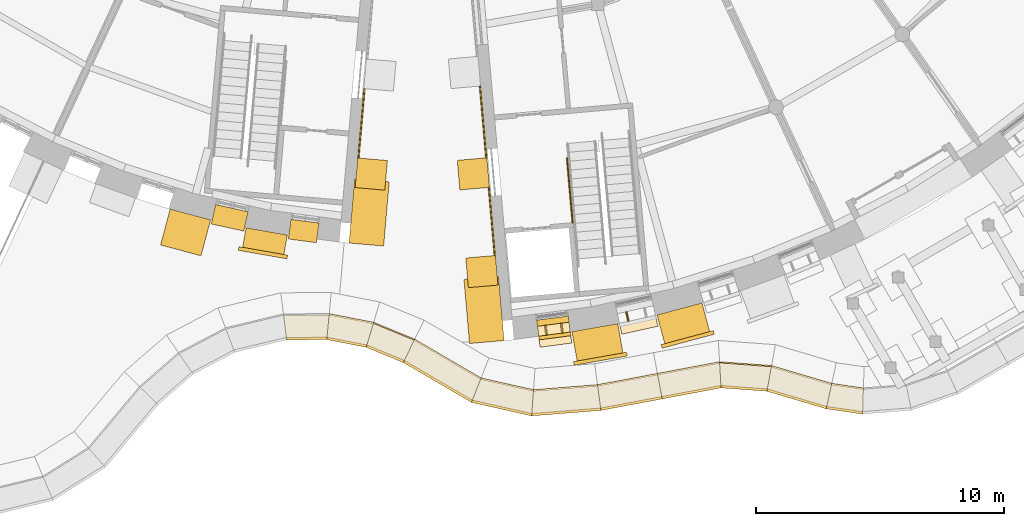
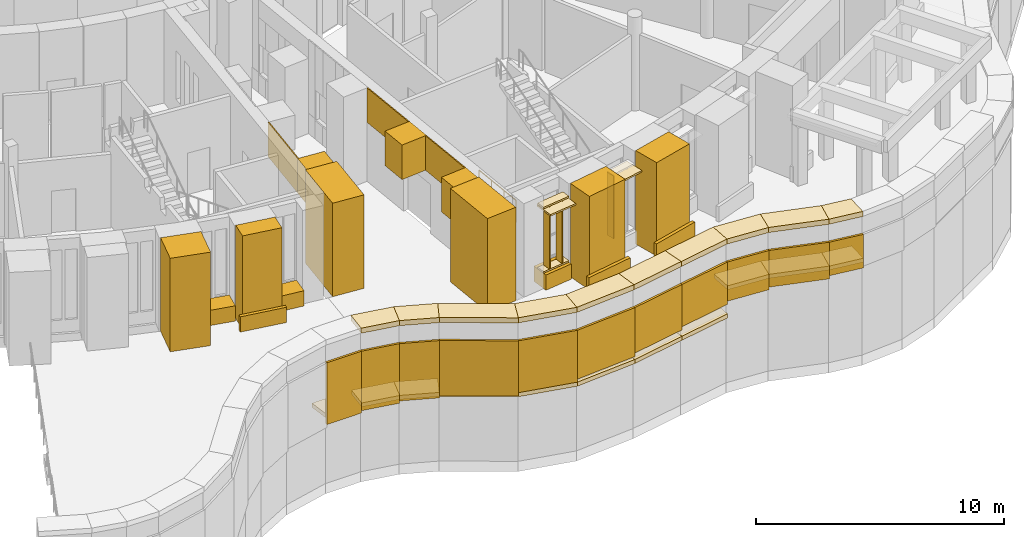
# One storey, part 65 of 85: 57 coverings, 1 railing.
"""IFC4 building model written with IfcOpenShell, lengths in metres."""

from ifc_helpers import new_model, si_unit, direction, frame, origin, origin_2d, place, context, subcontext, project, spatial, polyline, rectangle, circle, outline, extrude, material, layer, layer_set, type_object, element, save


model = new_model("IFC4")

# Units and contexts
model_context = context("Model", 3, precision=1e-05, world=origin(), true_north=direction((0.0, 1.0)))
body_context = subcontext(model_context, "Body", "Model", "MODEL_VIEW")
ifc_project = project(units=[si_unit("LENGTHUNIT", "METRE"), si_unit("AREAUNIT", "SQUARE_METRE"), si_unit("VOLUMEUNIT", "CUBIC_METRE"), si_unit("PLANEANGLEUNIT", "RADIAN"), si_unit("MASSUNIT", "GRAM", prefix="KILO")], contexts=[model_context])

# Site, building, storey
site_placement = place(None, origin())
site = spatial("IfcSite", under=ifc_project, at=site_placement, CompositionType="ELEMENT")
building_placement = place(site_placement, origin())
building = spatial("IfcBuilding", under=site, at=building_placement, Name="Volute Hill Aquarium", CompositionType="ELEMENT")
storey_placement = place(building_placement, origin())
storey = spatial("IfcBuildingStorey", under=building, at=storey_placement, Name="L01", CompositionType="ELEMENT", Elevation=0.0)

# Coverings
ifc_material_1 = material(Name="Blue limestone", Category="masonry")
covering_type_1 = type_object("IfcCoveringType", Name="Bluestone plinth block 275x750", PredefinedType="CLADDING", material=ifc_material_1)
covering_1_placement = place(storey_placement, frame((-7.773681640625, -35.064697265625, 0.0), z_axis=(0.0, 0.0, 1.0), x_axis=(0.97629181159, -0.216458537884, 0.0)))
element("IfcCovering", 1, at=covering_1_placement, inside=storey, type_object=covering_type_1, Name="Bluestone plinth BPN S2 L01 9", PredefinedType="CLADDING", context=body_context, shape_type="SweptSolid", body=[
    extrude(rectangle(XDim=1.341064453125, YDim=0.800048828125, at=origin_2d()), origin(), (0.0, 0.0, 1.0), 0.75),
])
covering_2_placement = place(storey_placement, frame((-4.787109375, -35.595703125, 0.0), z_axis=(0.0, 0.0, 1.0), x_axis=(0.991444143013, -0.130531648595, 0.0)))
element("IfcCovering", 2, at=covering_2_placement, inside=storey, type_object=covering_type_1, Name="Bluestone plinth BPN S2 L01 10", PredefinedType="CLADDING", context=body_context, shape_type="SweptSolid", body=[
    extrude(rectangle(XDim=1.140869140625, YDim=0.800048828125, at=origin_2d()), origin(), (0.0, 0.0, 1.0), 0.75),
])
covering_3_placement = place(storey_placement, frame((5.30224609375, -39.508056640625, 0.0), z_axis=(0.0, 0.0, 1.0), x_axis=(0.991446923126, 0.130510530703, 0.0)))
element("IfcCovering", 3, at=covering_3_placement, inside=storey, type_object=covering_type_1, Name="Bluestone plinth BPN S3 L01 1", PredefinedType="CLADDING", context=body_context, shape_type="SweptSolid", body=[
    extrude(rectangle(XDim=1.2890625, YDim=0.800048828125, at=origin_2d()), origin(), (0.0, 0.0, 1.0), 0.75),
])
ifc_material_2 = material(Name="Blue limestone", Category="masonry")
ifc_layer_1 = layer(ifc_material_2, 0.14990234375)
ifc_layer_set_1 = layer_set([ifc_layer_1], Name="Bluestone plinth plate 150x750")
covering_type_2 = type_object("IfcCoveringType", Name="Bluestone plinth plate 150x750", PredefinedType="CLADDING", material=ifc_layer_set_1)
covering_4_placement = place(storey_placement, frame((-6.43115234375, -36.47314453125, 0.0), z_axis=(0.0, 0.0, 1.0), x_axis=(0.984807753012, -0.173648177667, 0.0)))
element("IfcCovering", 4, at=covering_4_placement, inside=storey, type_object=covering_type_2, Name="Bluestone plinth BP S2 L01 9", PredefinedType="CLADDING", context=body_context, shape_type="SweptSolid", body=[
    extrude(rectangle(XDim=1.98876953125, YDim=0.14990234375, at=origin_2d()), origin(), (0.0, 0.0, 1.0), 0.75),
])
for number, where, z_axis, x_axis, name in (
    (5, (7.185791015625, -40.752685546875, 0.0), (0.0, 0.0, 1.0), (0.984807753012, 0.173648177667, 0.0), "Bluestone plinth BP S3 L01 1"),
    (6, (10.710205078125, -39.971435546875, 0.0), (0.0, 0.0, 1.0), (0.965925826289, 0.258819045103, 0.0), "Bluestone plinth BP S3 L01 2"),
):
    element("IfcCovering", number, at=place(storey_placement, frame(where, z_axis=z_axis, x_axis=x_axis)), inside=storey, type_object=covering_type_2, Name=name, PredefinedType="CLADDING", context=body_context, shape_type="SweptSolid", body=[
        extrude(rectangle(XDim=2.17529296875, YDim=0.14990234375, at=origin_2d()), origin(), (0.0, 0.0, 1.0), 0.75),
    ])
ifc_material_3 = material(Name="Precast concrete C40/50", Category="concrete")
covering_type_3 = type_object("IfcCoveringType", Name="End wall precast fin C40/50 1200x1200", PredefinedType="CLADDING", material=ifc_material_3)
for number, where, z_axis, x_axis, name in (
    (7, (-2.059814453125, -33.297119140625, 2.89990234375), (0.0, 0.0, 1.0), (-0.087158138485, -0.996194488489, 0.0), "End wall fin EWF S2B L01 4"),
    (8, (2.059326171875, -33.28955078125, 2.89990234375), (0.0, 0.0, 1.0), (0.087159823273, -0.996194341084, 0.0), "End wall fin EWF S3A L01 4"),
    (9, (2.404052734375, -37.232177734375, 2.89990234375), (0.0, 0.0, 1.0), (0.087159823273, -0.996194341084, 0.0), "End wall fin EWF S3A L01 5"),
):
    element("IfcCovering", number, at=place(storey_placement, frame(where, z_axis=z_axis, x_axis=x_axis)), inside=storey, type_object=covering_type_3, Name=name, PredefinedType="CLADDING", context=body_context, shape_type="SweptSolid", body=[
        extrude(rectangle(XDim=1.199951171875, YDim=1.199951171875, at=origin_2d()), origin(), (0.0, 0.0, 1.0), 1.699951171875),
    ])
ifc_material_4 = material(Name="Precast concrete C40/50", Category="concrete")
ifc_layer_2 = layer(ifc_material_4, 0.050048828125)
ifc_layer_set_2 = layer_set([ifc_layer_2], Name="End wall precast infill panel C40/50 50")
covering_type_4 = type_object("IfcCoveringType", Name="End wall precast infill panel C40/50 50", PredefinedType="CLADDING", material=ifc_layer_set_2)
covering_5_placement = place(storey_placement, frame((-2.3603515625, -29.847900390625, 2.89990234375), z_axis=(-0.996195132074, 0.087150782161, 0.0), x_axis=(-0.087150782161, -0.996195132074, 0.0)))
element("IfcCovering", 10, at=covering_5_placement, inside=storey, type_object=covering_type_4, Name="End wall panel EWP S2B L01 3", PredefinedType="CLADDING", context=body_context, shape_type="SweptSolid", body=[
    extrude(outline(polyline([(0.0, 0.0), (2.809763042905383, 0.0), (2.809763042905383, 1.7001953125000004), (0.0, 1.7001953125000004), (0.0, 0.0)])), origin(), (0.0, 0.0, -1.0), 0.050048828125),
])
covering_6_placement = place(storey_placement, frame((2.301513671875, -29.74755859375, 2.89990234375), z_axis=(-0.996194446597, -0.087158617293, 0.0), x_axis=(0.087158617293, -0.996194446597, 0.0)))
element("IfcCovering", 11, at=covering_6_placement, inside=storey, type_object=covering_type_4, Name="End wall panel EWP S3A L01 3", PredefinedType="CLADDING", context=body_context, shape_type="SweptSolid", body=[
    extrude(outline(polyline([(0.0, 0.0), (2.907549208784697, 0.0), (2.907549208784697, 1.7001953125), (0.0, 1.7001953125), (0.0, 0.0)])), origin(), (0.0, 0.0, -1.0), 0.050048828125),
])
covering_7_placement = place(storey_placement, frame((2.659423828125, -33.83935546875, 2.89990234375), z_axis=(-0.996197944706, -0.087118625808, 0.0), x_axis=(0.087118625808, -0.996197944706, 0.0)))
element("IfcCovering", 12, at=covering_7_placement, inside=storey, type_object=covering_type_4, Name="End wall panel EWP S3A L01 4", PredefinedType="CLADDING", context=body_context, shape_type="SweptSolid", body=[
    extrude(outline(polyline([(0.0, 0.0), (2.7575546878984083, 0.0), (2.7575546878984083, 1.7001953125), (0.0, 1.7001953125), (0.0, 0.0)])), origin(), (0.0, 0.0, -1.0), 0.050048828125),
])

# Railing
ifc_material_5 = material(Name="Stainless steel 1.4301", Category="steel")
railing_type = type_object("IfcRailingType", Name="Guard 1100 stainless", PredefinedType="GUARDRAIL", material=ifc_material_5)
railing_placement = place(storey_placement, frame((6.06591796875, -35.255615234375, 0.0)))
element("IfcRailing", 13, at=railing_placement, inside=storey, type_object=railing_type, Name="gd/S3-A/L01/edge", PredefinedType="GUARDRAIL", context=body_context, shape_type="SweptSolid", body=[
    extrude(circle(Radius=0.02392578125, at=origin_2d()), frame((0.0, 0.0, 1.076171875), z_axis=(-0.087225186436, 0.996188620117, 0.0), x_axis=(-0.996188620117, -0.087225186436, 0.0)), (0.0, 0.0, 1.0), 2.600341796875),
    extrude(circle(Radius=0.02099609375, at=origin_2d()), origin(), (0.0, 0.0, 1.0), 1.052001953125),
    extrude(circle(Radius=0.02099609375, at=origin_2d()), frame((-0.07568359375, 0.863525390625, 0.0)), (0.0, 0.0, 1.0), 1.052001953125),
    extrude(circle(Radius=0.02099609375, at=origin_2d()), frame((-0.151123046875, 1.726806640625, 0.0)), (0.0, 0.0, 1.0), 1.052001953125),
    extrude(circle(Radius=0.02099609375, at=origin_2d()), frame((-0.226806640625, 2.59033203125, 0.0)), (0.0, 0.0, 1.0), 1.052001953125),
])

# Coverings
ifc_material_6 = material(Name="Aluminium, anodised", Category="aluminium")
ifc_layer_3 = layer(ifc_material_6, 0.080078125)
ifc_layer_set_3 = layer_set([ifc_layer_3], Name="Horizontal brise-soleil eyebrow 900x80")
covering_type_5 = type_object("IfcCoveringType", Name="Horizontal brise-soleil eyebrow 900x80", PredefinedType="CLADDING", material=ifc_layer_set_3)
covering_8_placement = place(storey_placement, frame((5.3349609375, -39.756103515625, 3.81005859375), z_axis=(0.0, 0.0, 1.0), x_axis=(0.991446923126, 0.130510530703, 0.0)))
element("IfcCovering", 14, at=covering_8_placement, inside=storey, type_object=covering_type_5, Name="Brise-soleil eyebrow BS S3 L01 1.1", PredefinedType="CLADDING", context=body_context, shape_type="SweptSolid", body=[
    extrude(rectangle(XDim=1.2890625, YDim=0.89990234375, at=origin_2d()), origin(), (0.0, 0.0, 1.0), 0.080078125),
])
covering_9_placement = place(storey_placement, frame((8.681884765625, -39.161376953125, 3.81005859375), z_axis=(0.0, 0.0, 1.0), x_axis=(0.976296993237, 0.216435165805, 0.0)))
element("IfcCovering", 15, at=covering_9_placement, inside=storey, type_object=covering_type_5, Name="Brise-soleil eyebrow BS S3 L01 2.1", PredefinedType="CLADDING", context=body_context, shape_type="SweptSolid", body=[
    extrude(rectangle(XDim=1.4892578125, YDim=0.89990234375, at=origin_2d()), origin(), (0.0, 0.0, 1.0), 0.080078125),
])
ifc_material_7 = material(Name="Precast concrete C40/50", Category="concrete")
ifc_layer_4 = layer(ifc_material_7, 0.25)
ifc_layer_set_4 = layer_set([ifc_layer_4], Name="Plinth coping precast concrete C40/50 1000")
covering_type_6 = type_object("IfcCoveringType", Name="Plinth coping precast concrete C40/50 1000", PredefinedType="CLADDING", material=ifc_layer_set_4)
covering_10_placement = place(storey_placement, frame((0.0, 0.0, 0.85009765625)))
element("IfcCovering", 16, at=covering_10_placement, inside=storey, type_object=covering_type_6, Name="cp/E23UP/L01/0", PredefinedType="CLADDING", context=body_context, shape_type="SweptSolid", body=[
    extrude(outline(polyline([(-2.250244140625, -40.24072265625), (-2.250244140625, -40.24072265625), (-1.9619140625, -39.278076171875), (-1.9619140625, -39.278076171875), (-3.7568359375, -38.928955078125), (-3.850341796875, -39.929443359375), (-2.250244140625, -40.24072265625)])), origin(), (0.0, 0.0, 1.0), 0.25),
])
covering_11_placement = place(storey_placement, frame((0.0, 0.0, 0.85009765625)))
element("IfcCovering", 17, at=covering_11_placement, inside=storey, type_object=covering_type_6, Name="cp/E24UP/L01/0", PredefinedType="CLADDING", context=body_context, shape_type="SweptSolid", body=[
    extrude(outline(polyline([(-2.250244140625, -40.24072265625), (-0.74951171875, -40.857666015625), (-0.30517578125, -39.959228515625), (-1.9619140625, -39.278076171875), (-2.250244140625, -40.24072265625)])), origin(), (0.0, 0.0, 1.0), 0.25),
])
covering_12_placement = place(storey_placement, frame((0.0, 0.0, 0.85009765625)))
element("IfcCovering", 18, at=covering_12_placement, inside=storey, type_object=covering_type_6, Name="cp/E25UP/L01/0", PredefinedType="CLADDING", context=body_context, shape_type="SweptSolid", body=[
    extrude(outline(polyline([(2.001953125, -42.465576171875), (2.001953125, -42.465576171875), (2.372802734375, -41.52392578125), (-0.30517578125, -39.959228515625), (-0.30517578125, -39.959228515625), (-0.74951171875, -40.857666015625), (-0.74951171875, -40.857666015625), (2.001953125, -42.465576171875)])), origin(), (0.0, 0.0, 1.0), 0.25),
])
covering_13_placement = place(storey_placement, frame((0.0, 0.0, 0.85009765625)))
element("IfcCovering", 19, at=covering_13_placement, inside=storey, type_object=covering_type_6, Name="cp/E26UP/L01/0", PredefinedType="CLADDING", context=body_context, shape_type="SweptSolid", body=[
    extrude(outline(polyline([(2.001953125, -42.465576171875), (4.41552734375, -43.008544921875), (4.4873046875, -41.999755859375), (2.372802734375, -41.52392578125), (2.372802734375, -41.52392578125), (2.001953125, -42.465576171875)])), origin(), (0.0, 0.0, 1.0), 0.25),
])
covering_14_placement = place(storey_placement, frame((0.0, 0.0, 0.85009765625)))
element("IfcCovering", 20, at=covering_14_placement, inside=storey, type_object=covering_type_6, Name="cp/E27UP/L01/0", PredefinedType="CLADDING", context=body_context, shape_type="SweptSolid", body=[
    extrude(outline(polyline([(4.41552734375, -43.008544921875), (7.200927734375, -42.78759765625), (7.06884765625, -41.794921875), (7.06884765625, -41.794921875), (4.4873046875, -41.999755859375), (4.4873046875, -41.999755859375), (4.41552734375, -43.008544921875), (4.41552734375, -43.008544921875)])), origin(), (0.0, 0.0, 1.0), 0.25),
])
covering_15_placement = place(storey_placement, frame((0.0, 0.0, 0.85009765625)))
element("IfcCovering", 21, at=covering_15_placement, inside=storey, type_object=covering_type_6, Name="cp/E28UP/L01/0", PredefinedType="CLADDING", context=body_context, shape_type="SweptSolid", body=[
    extrude(outline(polyline([(7.200927734375, -42.78759765625), (9.67138671875, -42.32373046875), (9.48681640625, -41.3408203125), (7.06884765625, -41.794921875), (7.200927734375, -42.78759765625), (7.200927734375, -42.78759765625)])), origin(), (0.0, 0.0, 1.0), 0.25),
])
covering_16_placement = place(storey_placement, frame((0.0, 0.0, 0.85009765625)))
element("IfcCovering", 22, at=covering_16_placement, inside=storey, type_object=covering_type_6, Name="cp/E28UP/L01/1", PredefinedType="CLADDING", context=body_context, shape_type="SweptSolid", body=[
    extrude(outline(polyline([(9.67138671875, -42.32373046875), (12.0517578125, -41.876708984375), (11.9951171875, -40.869873046875), (11.9951171875, -40.869873046875), (9.48681640625, -41.3408203125), (9.67138671875, -42.32373046875)])), origin(), (0.0, 0.0, 1.0), 0.25),
])
covering_17_placement = place(storey_placement, frame((0.0, 0.0, 0.85009765625)))
element("IfcCovering", 23, at=covering_17_placement, inside=storey, type_object=covering_type_6, Name="cp/E29UP/L01/0", PredefinedType="CLADDING", context=body_context, shape_type="SweptSolid", body=[
    extrude(outline(polyline([(12.0517578125, -41.876708984375), (13.9150390625, -42.013671875), (14.095947265625, -41.024169921875), (11.9951171875, -40.869873046875), (12.0517578125, -41.876708984375), (12.0517578125, -41.876708984375)])), origin(), (0.0, 0.0, 1.0), 0.25),
])
covering_18_placement = place(storey_placement, frame((0.0, 0.0, 0.85009765625)))
element("IfcCovering", 24, at=covering_18_placement, inside=storey, type_object=covering_type_6, Name="cp/E30UP/L01/0", PredefinedType="CLADDING", context=body_context, shape_type="SweptSolid", body=[
    extrude(outline(polyline([(13.9150390625, -42.013671875), (16.310302734375, -42.724365234375), (16.524658203125, -41.744873046875), (14.095947265625, -41.024169921875), (14.095947265625, -41.024169921875), (13.9150390625, -42.013671875), (13.9150390625, -42.013671875)])), origin(), (0.0, 0.0, 1.0), 0.25),
])
covering_19_placement = place(storey_placement, frame((0.0, 0.0, 0.85009765625)))
element("IfcCovering", 25, at=covering_19_placement, inside=storey, type_object=covering_type_6, Name="cp/E31UP/L01/0", PredefinedType="CLADDING", context=body_context, shape_type="SweptSolid", body=[
    extrude(outline(polyline([(16.310302734375, -42.724365234375), (17.769775390625, -42.933837890625), (17.801513671875, -41.92822265625), (16.524658203125, -41.744873046875), (16.524658203125, -41.744873046875), (16.310302734375, -42.724365234375), (16.310302734375, -42.724365234375)])), origin(), (0.0, 0.0, 1.0), 0.25),
])
ifc_material_8 = material(Name="Precast concrete C40/50", Category="concrete")
ifc_layer_5 = layer(ifc_material_8, 0.199951171875)
ifc_layer_set_5 = layer_set([ifc_layer_5], Name="Plinth grade course precast concrete C40/50 1100")
covering_type_7 = type_object("IfcCoveringType", Name="Plinth grade course precast concrete C40/50 1100", PredefinedType="CLADDING", material=ifc_layer_set_5)
covering_20_placement = place(storey_placement, frame((0.0, 0.0, -2.75)))
element("IfcCovering", 26, at=covering_20_placement, inside=storey, type_object=covering_type_7, Name="gc/E22UP/L01/0", PredefinedType="CLADDING", context=body_context, shape_type="SweptSolid", body=[
    extrude(outline(polyline([(-3.85498046875, -39.9794921875), (-3.85498046875, -39.9794921875), (-3.761474609375, -38.97900390625), (-3.761474609375, -38.97900390625), (-5.60009765625, -38.98974609375), (-5.60009765625, -38.98974609375), (-5.478271484375, -39.989013671875), (-3.85498046875, -39.9794921875)])), origin(), (0.0, 0.0, 1.0), 0.199951171875),
])
covering_21_placement = place(storey_placement, frame((0.0, 0.0, -2.75)))
element("IfcCovering", 27, at=covering_21_placement, inside=storey, type_object=covering_type_7, Name="gc/E23UP/L01/0", PredefinedType="CLADDING", context=body_context, shape_type="SweptSolid", body=[
    extrude(outline(polyline([(-2.2646484375, -40.288818359375), (-2.2646484375, -40.288818359375), (-1.976318359375, -39.326171875), (-1.976318359375, -39.326171875), (-3.761474609375, -38.97900390625), (-3.85498046875, -39.9794921875), (-2.2646484375, -40.288818359375)])), origin(), (0.0, 0.0, 1.0), 0.199951171875),
])
covering_22_placement = place(storey_placement, frame((0.0, 0.0, -2.75)))
element("IfcCovering", 28, at=covering_22_placement, inside=storey, type_object=covering_type_7, Name="gc/E24UP/L01/0", PredefinedType="CLADDING", context=body_context, shape_type="SweptSolid", body=[
    extrude(outline(polyline([(-2.2646484375, -40.288818359375), (-0.771728515625, -40.902587890625), (-0.327392578125, -40.004150390625), (-1.976318359375, -39.326171875), (-2.2646484375, -40.288818359375)])), origin(), (0.0, 0.0, 1.0), 0.199951171875),
])
covering_23_placement = place(storey_placement, frame((0.0, 0.0, -2.75)))
element("IfcCovering", 29, at=covering_23_placement, inside=storey, type_object=covering_type_7, Name="gc/E25UP/L01/0", PredefinedType="CLADDING", context=body_context, shape_type="SweptSolid", body=[
    extrude(outline(polyline([(1.9833984375, -42.5126953125), (1.9833984375, -42.5126953125), (2.354248046875, -41.571044921875), (-0.327392578125, -40.004150390625), (-0.327392578125, -40.004150390625), (-0.771728515625, -40.902587890625), (-0.771728515625, -40.902587890625), (1.9833984375, -42.5126953125)])), origin(), (0.0, 0.0, 1.0), 0.199951171875),
])
covering_24_placement = place(storey_placement, frame((0.0, 0.0, -2.75)))
element("IfcCovering", 30, at=covering_24_placement, inside=storey, type_object=covering_type_7, Name="gc/E26UP/L01/0", PredefinedType="CLADDING", context=body_context, shape_type="SweptSolid", body=[
    extrude(outline(polyline([(1.9833984375, -42.5126953125), (4.411865234375, -43.05908203125), (4.483642578125, -42.050048828125), (2.354248046875, -41.571044921875), (2.354248046875, -41.571044921875), (1.9833984375, -42.5126953125)])), origin(), (0.0, 0.0, 1.0), 0.199951171875),
])
covering_25_placement = place(storey_placement, frame((0.0, 0.0, -2.75)))
element("IfcCovering", 31, at=covering_25_placement, inside=storey, type_object=covering_type_7, Name="gc/E27UP/L01/0", PredefinedType="CLADDING", context=body_context, shape_type="SweptSolid", body=[
    extrude(outline(polyline([(4.411865234375, -43.05908203125), (7.20751953125, -42.837158203125), (7.075439453125, -41.844482421875), (4.483642578125, -42.050048828125), (4.483642578125, -42.050048828125), (4.411865234375, -43.05908203125), (4.411865234375, -43.05908203125)])), origin(), (0.0, 0.0, 1.0), 0.199951171875),
])
covering_26_placement = place(storey_placement, frame((0.0, 0.0, -2.75)))
element("IfcCovering", 32, at=covering_26_placement, inside=storey, type_object=covering_type_7, Name="gc/E28UP/L01/0", PredefinedType="CLADDING", context=body_context, shape_type="SweptSolid", body=[
    extrude(outline(polyline([(7.20751953125, -42.837158203125), (9.6806640625, -42.372802734375), (9.49609375, -41.39013671875), (7.075439453125, -41.844482421875), (7.075439453125, -41.844482421875), (7.20751953125, -42.837158203125), (7.20751953125, -42.837158203125)])), origin(), (0.0, 0.0, 1.0), 0.199951171875),
])
covering_27_placement = place(storey_placement, frame((0.0, 0.0, -2.75)))
element("IfcCovering", 33, at=covering_27_placement, inside=storey, type_object=covering_type_7, Name="gc/E28UP/L01/1", PredefinedType="CLADDING", context=body_context, shape_type="SweptSolid", body=[
    extrude(outline(polyline([(12.054443359375, -41.92724609375), (12.054443359375, -41.92724609375), (11.998046875, -40.92041015625), (9.49609375, -41.39013671875), (9.6806640625, -42.372802734375), (12.054443359375, -41.92724609375)])), origin(), (0.0, 0.0, 1.0), 0.199951171875),
])
covering_28_placement = place(storey_placement, frame((0.0, 0.0, -1.375)))
element("IfcCovering", 34, at=covering_28_placement, inside=storey, type_object=covering_type_7, Name="gc/E29UP/L01/0", PredefinedType="CLADDING", context=body_context, shape_type="SweptSolid", body=[
    extrude(outline(polyline([(12.054443359375, -41.92724609375), (13.906005859375, -42.06298828125), (14.0869140625, -41.07373046875), (14.0869140625, -41.07373046875), (11.998046875, -40.92041015625), (11.998046875, -40.92041015625), (12.054443359375, -41.92724609375)])), origin(), (0.0, 0.0, 1.0), 0.199951171875),
])
covering_29_placement = place(storey_placement, frame((0.0, 0.0, -1.375)))
element("IfcCovering", 35, at=covering_29_placement, inside=storey, type_object=covering_type_7, Name="gc/E30UP/L01/0", PredefinedType="CLADDING", context=body_context, shape_type="SweptSolid", body=[
    extrude(outline(polyline([(16.299560546875, -42.773193359375), (16.299560546875, -42.773193359375), (16.513916015625, -41.793701171875), (14.0869140625, -41.07373046875), (13.906005859375, -42.06298828125), (13.906005859375, -42.06298828125), (16.299560546875, -42.773193359375)])), origin(), (0.0, 0.0, 1.0), 0.199951171875),
])
covering_30_placement = place(storey_placement, frame((0.0, 0.0, -1.375)))
element("IfcCovering", 36, at=covering_30_placement, inside=storey, type_object=covering_type_7, Name="gc/E31UP/L01/0", PredefinedType="CLADDING", context=body_context, shape_type="SweptSolid", body=[
    extrude(outline(polyline([(16.299560546875, -42.773193359375), (17.76806640625, -42.984130859375), (17.800048828125, -41.978515625), (16.513916015625, -41.793701171875), (16.513916015625, -41.793701171875), (16.299560546875, -42.773193359375)])), origin(), (0.0, 0.0, 1.0), 0.199951171875),
])
ifc_material_9 = material(Name="Precast concrete C40/50", Category="concrete")
covering_type_8 = type_object("IfcCoveringType", Name="Projecting pier precast concrete C40/50 1689x1500", PredefinedType="CLADDING", material=ifc_material_9)
covering_31_placement = place(storey_placement, frame((-9.55322265625, -35.653076171875, 0.0), z_axis=(0.0, 0.0, 1.0), x_axis=(0.965925826289, -0.258819045103, 0.0)))
element("IfcCovering", 37, at=covering_31_placement, inside=storey, type_object=covering_type_8, Name="Projecting pier PP S2 L01 8", PredefinedType="CLADDING", context=body_context, shape_type="SweptSolid", body=[
    extrude(rectangle(XDim=1.688720703125, YDim=1.5, at=origin_2d()), origin(), (0.0, 0.0, 1.0), 4.60009765625),
])
ifc_material_10 = material(Name="Precast concrete C40/50", Category="concrete")
covering_type_9 = type_object("IfcCoveringType", Name="Projecting pier precast concrete C40/50 1689x800", PredefinedType="CLADDING", material=ifc_material_10)
covering_32_placement = place(storey_placement, frame((-6.3486328125, -36.00537109375, 0.0), z_axis=(0.0, 0.0, 1.0), x_axis=(0.984807753012, -0.173648177667, 0.0)))
element("IfcCovering", 38, at=covering_32_placement, inside=storey, type_object=covering_type_9, Name="Projecting pier PP S2 L01 9", PredefinedType="CLADDING", context=body_context, shape_type="SweptSolid", body=[
    extrude(rectangle(XDim=1.688720703125, YDim=0.800048828125, at=origin_2d()), origin(), (0.0, 0.0, 1.0), 4.60009765625),
])
ifc_material_11 = material(Name="Precast concrete C40/50", Category="concrete")
covering_type_10 = type_object("IfcCoveringType", Name="Projecting pier precast concrete C40/50 1875x1200", PredefinedType="CLADDING", material=ifc_material_11)
for number, where, z_axis, x_axis, name in (
    (39, (7.068603515625, -40.088134765625, 0.0), (0.0, 0.0, 1.0), (0.984807753012, 0.173648177667, 0.0), "Projecting pier PP S3 L01 1"),
    (40, (10.53564453125, -39.319580078125, 0.0), (0.0, 0.0, 1.0), (0.965925826289, 0.258819045103, 0.0), "Projecting pier PP S3 L01 2"),
):
    element("IfcCovering", number, at=place(storey_placement, frame(where, z_axis=z_axis, x_axis=x_axis)), inside=storey, type_object=covering_type_10, Name=name, PredefinedType="CLADDING", context=body_context, shape_type="SweptSolid", body=[
        extrude(rectangle(XDim=1.87548828125, YDim=1.199951171875, at=origin_2d()), origin(), (0.0, 0.0, 1.0), 4.60009765625),
    ])
ifc_material_12 = material(Name="Precast concrete C40/50", Category="concrete")
ifc_layer_6 = layer(ifc_material_12, 0.10009765625)
ifc_layer_set_6 = layer_set([ifc_layer_6], Name="Retained ground face precast concrete C40/50 100")
covering_type_11 = type_object("IfcCoveringType", Name="Retained ground face precast concrete C40/50 100", PredefinedType="CLADDING", material=ifc_layer_set_6)
covering_33_placement = place(storey_placement, frame((0.0, 0.0, -3.03955078125)))
element("IfcCovering", 41, at=covering_33_placement, inside=storey, type_object=covering_type_11, Name="tg/E22UP/L01/0", PredefinedType="CLADDING", context=body_context, shape_type="SweptSolid", body=[
    extrude(outline(polyline([(-3.85498046875, -39.9794921875), (-3.85498046875, -39.9794921875), (-3.845703125, -39.87939453125), (-3.845703125, -39.87939453125), (-5.490478515625, -39.88916015625), (-5.478271484375, -39.989013671875), (-3.85498046875, -39.9794921875)])), origin(), (0.0, 0.0, 1.0), 3.03955078125),
])
covering_34_placement = place(storey_placement, frame((0.0, 0.0, -2.929443359375)))
element("IfcCovering", 42, at=covering_34_placement, inside=storey, type_object=covering_type_11, Name="tg/E23UP/L01/0", PredefinedType="CLADDING", context=body_context, shape_type="SweptSolid", body=[
    extrude(outline(polyline([(-2.2646484375, -40.288818359375), (-2.2646484375, -40.288818359375), (-2.23583984375, -40.192626953125), (-2.23583984375, -40.192626953125), (-3.845703125, -39.87939453125), (-3.85498046875, -39.9794921875), (-2.2646484375, -40.288818359375)])), origin(), (0.0, 0.0, 1.0), 2.929443359375),
])
covering_35_placement = place(storey_placement, frame((0.0, 0.0, -2.822265625)))
element("IfcCovering", 43, at=covering_35_placement, inside=storey, type_object=covering_type_11, Name="tg/E24UP/L01/0", PredefinedType="CLADDING", context=body_context, shape_type="SweptSolid", body=[
    extrude(outline(polyline([(-2.2646484375, -40.288818359375), (-0.771728515625, -40.902587890625), (-0.727294921875, -40.812744140625), (-2.23583984375, -40.192626953125), (-2.2646484375, -40.288818359375)])), origin(), (0.0, 0.0, 1.0), 2.822265625),
])
covering_36_placement = place(storey_placement, frame((0.0, 0.0, -2.722412109375)))
element("IfcCovering", 44, at=covering_36_placement, inside=storey, type_object=covering_type_11, Name="tg/E25UP/L01/0", PredefinedType="CLADDING", context=body_context, shape_type="SweptSolid", body=[
    extrude(outline(polyline([(1.9833984375, -42.5126953125), (1.9833984375, -42.5126953125), (2.0205078125, -42.41845703125), (2.0205078125, -42.41845703125), (-0.727294921875, -40.812744140625), (-0.727294921875, -40.812744140625), (-0.771728515625, -40.902587890625), (-0.771728515625, -40.902587890625), (1.9833984375, -42.5126953125)])), origin(), (0.0, 0.0, 1.0), 2.722412109375),
])
covering_37_placement = place(storey_placement, frame((0.0, 0.0, -2.55078125)))
element("IfcCovering", 45, at=covering_37_placement, inside=storey, type_object=covering_type_11, Name="tg/E26UP/L01/0", PredefinedType="CLADDING", context=body_context, shape_type="SweptSolid", body=[
    extrude(outline(polyline([(1.9833984375, -42.5126953125), (4.411865234375, -43.05908203125), (4.4189453125, -42.9580078125), (2.0205078125, -42.41845703125), (1.9833984375, -42.5126953125)])), origin(), (0.0, 0.0, 1.0), 2.55078125),
])
covering_38_placement = place(storey_placement, frame((0.0, 0.0, -2.40771484375)))
element("IfcCovering", 46, at=covering_38_placement, inside=storey, type_object=covering_type_11, Name="tg/E27UP/L01/0", PredefinedType="CLADDING", context=body_context, shape_type="SweptSolid", body=[
    extrude(outline(polyline([(4.411865234375, -43.05908203125), (7.20751953125, -42.837158203125), (7.1943359375, -42.73779296875), (7.1943359375, -42.73779296875), (4.4189453125, -42.9580078125), (4.4189453125, -42.9580078125), (4.411865234375, -43.05908203125), (4.411865234375, -43.05908203125)])), origin(), (0.0, 0.0, 1.0), 2.40771484375),
])
covering_39_placement = place(storey_placement, frame((0.0, 0.0, -2.238037109375)))
element("IfcCovering", 47, at=covering_39_placement, inside=storey, type_object=covering_type_11, Name="tg/E28UP/L01/0", PredefinedType="CLADDING", context=body_context, shape_type="SweptSolid", body=[
    extrude(outline(polyline([(7.20751953125, -42.837158203125), (9.6806640625, -42.372802734375), (9.662109375, -42.274658203125), (7.1943359375, -42.73779296875), (7.20751953125, -42.837158203125), (7.20751953125, -42.837158203125)])), origin(), (0.0, 0.0, 1.0), 2.238037109375),
])
covering_40_placement = place(storey_placement, frame((0.0, 0.0, -2.08349609375)))
element("IfcCovering", 48, at=covering_40_placement, inside=storey, type_object=covering_type_11, Name="tg/E28UP/L01/1", PredefinedType="CLADDING", context=body_context, shape_type="SweptSolid", body=[
    extrude(outline(polyline([(12.054443359375, -41.92724609375), (12.054443359375, -41.92724609375), (12.048828125, -41.826416015625), (9.662109375, -42.274658203125), (9.6806640625, -42.372802734375), (12.054443359375, -41.92724609375)])), origin(), (0.0, 0.0, 1.0), 2.08349609375),
])
covering_41_placement = place(storey_placement, frame((0.0, 0.0, -1.928955078125)))
element("IfcCovering", 49, at=covering_41_placement, inside=storey, type_object=covering_type_11, Name="tg/E29UP/L01/0", PredefinedType="CLADDING", context=body_context, shape_type="SweptSolid", body=[
    extrude(outline(polyline([(12.054443359375, -41.92724609375), (13.906005859375, -42.06298828125), (13.924072265625, -41.964111328125), (13.924072265625, -41.964111328125), (12.048828125, -41.826416015625), (12.048828125, -41.826416015625), (12.054443359375, -41.92724609375)])), origin(), (0.0, 0.0, 1.0), 1.928955078125),
])
covering_42_placement = place(storey_placement, frame((0.0, 0.0, -1.8037109375)))
element("IfcCovering", 50, at=covering_42_placement, inside=storey, type_object=covering_type_11, Name="tg/E30UP/L01/0", PredefinedType="CLADDING", context=body_context, shape_type="SweptSolid", body=[
    extrude(outline(polyline([(16.299560546875, -42.773193359375), (16.299560546875, -42.773193359375), (16.321044921875, -42.67529296875), (16.321044921875, -42.67529296875), (13.924072265625, -41.964111328125), (13.906005859375, -42.06298828125), (13.906005859375, -42.06298828125), (16.299560546875, -42.773193359375)])), origin(), (0.0, 0.0, 1.0), 1.8037109375),
])
covering_43_placement = place(storey_placement, frame((0.0, 0.0, -1.651123046875)))
element("IfcCovering", 51, at=covering_43_placement, inside=storey, type_object=covering_type_11, Name="tg/E31UP/L01/0", PredefinedType="CLADDING", context=body_context, shape_type="SweptSolid", body=[
    extrude(outline(polyline([(16.299560546875, -42.773193359375), (17.76806640625, -42.984130859375), (17.771240234375, -42.883544921875), (16.321044921875, -42.67529296875), (16.299560546875, -42.773193359375)])), origin(), (0.0, 0.0, 1.0), 1.651123046875),
])
ifc_material_13 = material(Name="Precast concrete C40/50", Category="concrete")
covering_type_12 = type_object("IfcCoveringType", Name="Step pylon precast concrete C40/50 1400x2600", PredefinedType="CLADDING", material=ifc_material_13)
for number, where, z_axis, x_axis, name in (
    (52, (-2.14501953125, -34.845703125, 0.0), (0.0, 0.0, 1.0), (-0.087155742748, -0.996194698092, 0.0), "Step pylon SPY S2B L01"),
    (53, (2.489501953125, -38.78076171875, 0.0), (0.0, 0.0, 1.0), (0.087155742748, -0.996194698092, 0.0), "Step pylon SPY S3A L01"),
):
    element("IfcCovering", number, at=place(storey_placement, frame(where, z_axis=z_axis, x_axis=x_axis)), inside=storey, type_object=covering_type_12, Name=name, PredefinedType="CLADDING", context=body_context, shape_type="SweptSolid", body=[
        extrude(rectangle(XDim=2.60009765625, YDim=1.39990234375, at=origin_2d()), origin(), (0.0, 0.0, 1.0), 4.60009765625),
    ])
ifc_material_14 = material(Name="Timber, thermally modified ash", Category="wood")
covering_type_13 = type_object("IfcCoveringType", Name="Timber louvre fin 60x400", PredefinedType="CLADDING", material=ifc_material_14)
for number, where, z_axis, x_axis, name in (
    (54, (4.9892578125, -39.599853515625, 0.830078125), (0.0, 0.0, 1.0), (0.991446923126, 0.130510530703, 0.0), "Timber louvre fin S3 L01 1.1.1"),
    (55, (5.62841796875, -39.515625, 0.830078125), (0.0, 0.0, 1.0), (0.991446923126, 0.130510530703, 0.0), "Timber louvre fin S3 L01 1.1.2"),
    (56, (8.275146484375, -39.046875, 0.830078125), (0.0, 0.0, 1.0), (0.976296993237, 0.216435165805, 0.0), "Timber louvre fin S3 L01 2.1.1"),
):
    element("IfcCovering", number, at=place(storey_placement, frame(where, z_axis=z_axis, x_axis=x_axis)), inside=storey, type_object=covering_type_13, Name=name, PredefinedType="CLADDING", context=body_context, shape_type="SweptSolid", body=[
        extrude(rectangle(XDim=0.06005859375, YDim=0.39990234375, at=origin_2d()), origin(), (0.0, 0.0, 1.0), 3.090087890625),
    ])
ifc_material_15 = material(Name="Timber, thermally modified ash", Category="wood")
covering_type_14 = type_object("IfcCoveringType", Name="Timber louvre fin rail 400x80", PredefinedType="CLADDING", material=ifc_material_15)
for number, where, z_axis, x_axis, name in (
    (57, (5.308837890625, -39.5576171875, 0.75), (0.0, 0.0, 1.0), (0.991446923126, 0.130510530703, 0.0), "Timber louvre fin rail S3 L01 1.1"),
    (58, (5.308837890625, -39.5576171875, 3.919921875), (0.0, 0.0, 1.0), (0.991446923126, 0.130510530703, 0.0), "Timber louvre fin rail S3 L01 1.2"),
):
    element("IfcCovering", number, at=place(storey_placement, frame(where, z_axis=z_axis, x_axis=x_axis)), inside=storey, type_object=covering_type_14, Name=name, PredefinedType="CLADDING", context=body_context, shape_type="SweptSolid", body=[
        extrude(rectangle(XDim=1.2890625, YDim=0.39990234375, at=origin_2d()), origin(), (0.0, 0.0, 1.0), 0.080078125),
    ])

save(model, "model.ifc")
